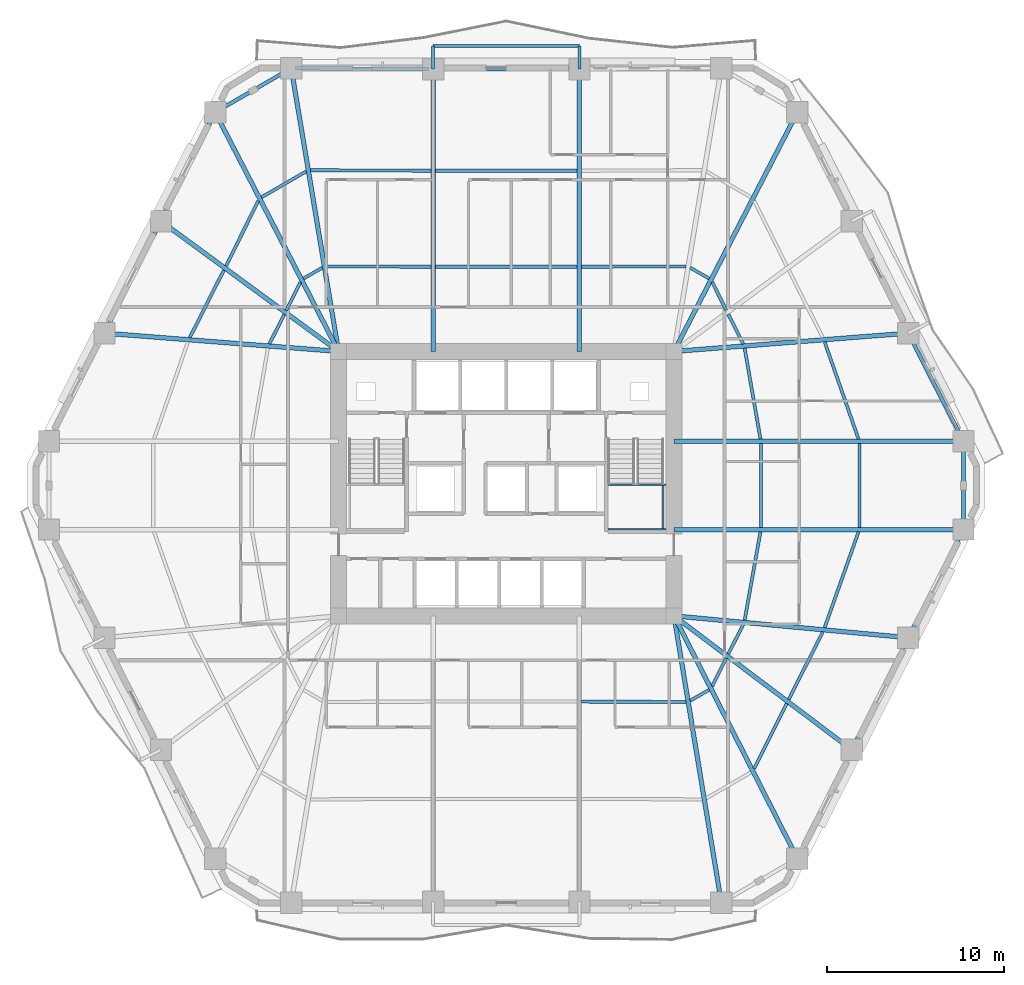
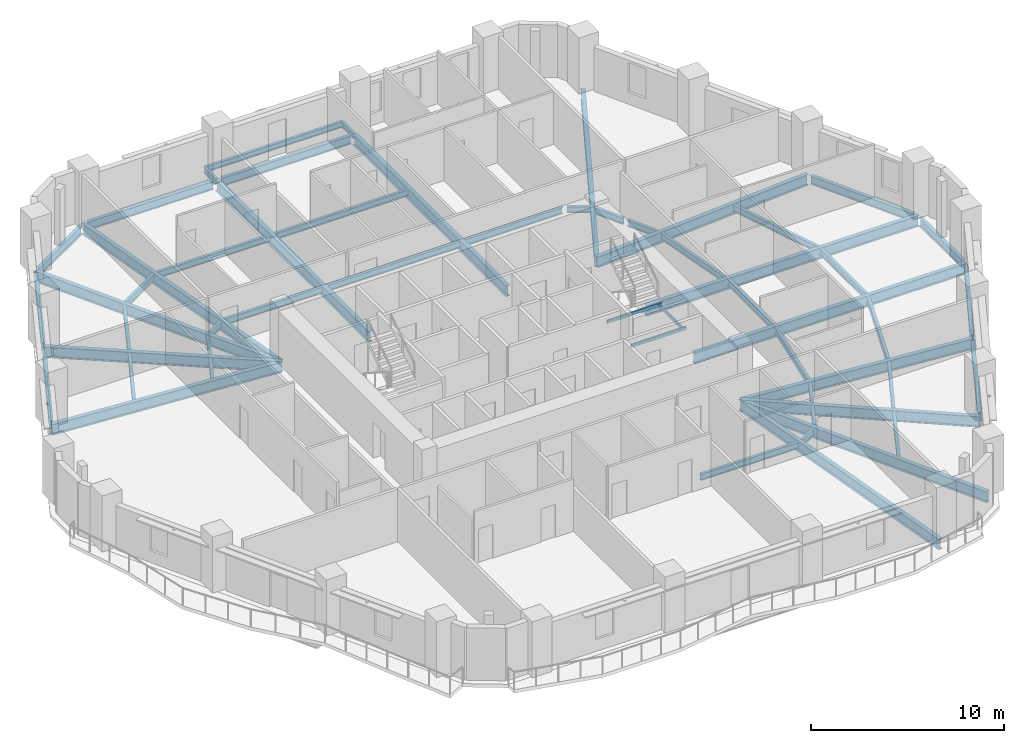
# One storey, part 2 of 13: 55 beams.
"""IFC4 building model written with IfcOpenShell, lengths in metres."""

from ifc_helpers import new_model, si_unit, direction, frame, origin, origin_2d, place, context, subcontext, project, spatial, hollow_rectangle, i_section, extrude, material, material_profile, profile_set, type_object, element, save


model = new_model("IFC4")

# Units and contexts
model_context = context("Model", 3, precision=1e-05, world=origin(), true_north=direction((0.0, 1.0)))
body_context = subcontext(model_context, "Body", "Model", "MODEL_VIEW")
ifc_project = project(units=[si_unit("LENGTHUNIT", "METRE"), si_unit("AREAUNIT", "SQUARE_METRE"), si_unit("VOLUMEUNIT", "CUBIC_METRE"), si_unit("PLANEANGLEUNIT", "RADIAN"), si_unit("MASSUNIT", "GRAM", prefix="KILO")], contexts=[model_context])

# Site, building, storey
site_placement = place(None, origin())
site = spatial("IfcSite", under=ifc_project, at=site_placement, CompositionType="ELEMENT")
building_placement = place(site_placement, origin())
building = spatial("IfcBuilding", under=site, at=building_placement, Name="Cinnabar Lancet Tower", CompositionType="ELEMENT")
storey_placement = place(building_placement, frame((0.0, 0.0, 63.949951171875)))
storey = spatial("IfcBuildingStorey", under=building, at=storey_placement, Name="L16", CompositionType="ELEMENT", Elevation=63.949951171875)

# Beams
ifc_material_1 = material(Name="Structural steel S355", Category="steel")
ifc_material_profile_1 = material_profile(ifc_material_1, i_section(OverallWidth=0.177978515625, OverallDepth=0.406494140625, WebThickness=0.0078125, FlangeThickness=0.0126953125, FilletRadius=0.01025390625, at=origin_2d()), Name="UKB 406x178x60")
ifc_profile_set_1 = profile_set([ifc_material_profile_1], Name="Structural steel S355")
beam_type_1 = type_object("IfcBeamType", Name="STR-BM-JST-406", PredefinedType="JOIST", material=ifc_profile_set_1)
beam_1_placement = place(storey_placement, frame((36.64892578125, 13.616943359375, -0.4228515625), z_axis=(0.999996783932, -0.002536163472, 0.0), x_axis=(0.002536163472, 0.999996783932, 0.0)))
element("IfcBeam", 1, at=beam_1_placement, inside=storey, type_object=beam_type_1, Name="L16 Secondary Floor Joist 14", PredefinedType="JOIST", context=body_context, shape_type="SweptSolid", body=[
    extrude(i_section(OverallWidth=0.177978515625, OverallDepth=0.406494140625, WebThickness=0.0078125, FlangeThickness=0.0126953125, FilletRadius=0.01025390625, at=origin_2d()), origin(), (0.0, 0.0, 1.0), 5.8720703125),
])
beam_2_placement = place(storey_placement, frame((42.76708984375, 13.669921875, -0.4228515625), z_axis=(0.865417177575, 0.50105200205, 0.0), x_axis=(-0.50105200205, 0.865417177575, 0.0)))
element("IfcBeam", 2, at=beam_2_placement, inside=storey, type_object=beam_type_1, Name="L16 Secondary Floor Joist 16", PredefinedType="JOIST", context=body_context, shape_type="SweptSolid", body=[
    extrude(i_section(OverallWidth=0.177978515625, OverallDepth=0.406494140625, WebThickness=0.0078125, FlangeThickness=0.0126953125, FilletRadius=0.01025390625, at=origin_2d()), origin(), (0.0, 0.0, 1.0), 1.223388671875),
])
beam_3_placement = place(storey_placement, frame((46.3701171875, 9.837890625, -0.4228515625), z_axis=(0.445807799253, 0.895128709251, 0.0), x_axis=(-0.895128709251, 0.445807799253, 0.0)))
element("IfcBeam", 3, at=beam_3_placement, inside=storey, type_object=beam_type_1, Name="L16 Secondary Floor Joist 17", PredefinedType="JOIST", context=body_context, shape_type="SweptSolid", body=[
    extrude(i_section(OverallWidth=0.177978515625, OverallDepth=0.406494140625, WebThickness=0.0078125, FlangeThickness=0.0126953125, FilletRadius=0.01025390625, at=origin_2d()), origin(), (0.0, 0.0, 1.0), 4.10009765625),
])
beam_4_placement = place(storey_placement, frame((44.006103515625, 14.488037109375, -0.4228515625), z_axis=(0.445778141453, 0.895143479339, 0.0), x_axis=(-0.895143479339, 0.445778141453, 0.0)))
element("IfcBeam", 4, at=beam_4_placement, inside=storey, type_object=beam_type_1, Name="L16 Secondary Floor Joist 18", PredefinedType="JOIST", context=body_context, shape_type="SweptSolid", body=[
    extrude(i_section(OverallWidth=0.177978515625, OverallDepth=0.406494140625, WebThickness=0.0078125, FlangeThickness=0.0126953125, FilletRadius=0.01025390625, at=origin_2d()), origin(), (0.0, 0.0, 1.0), 1.76953125),
])
beam_5_placement = place(storey_placement, frame((48.31396484375, 13.739013671875, -0.4228515625), z_axis=(0.450763900798, 0.892643213012, 0.0), x_axis=(-0.892643213012, 0.450763900798, 0.0)))
element("IfcBeam", 5, at=beam_5_placement, inside=storey, type_object=beam_type_1, Name="L16 Secondary Floor Joist 19", PredefinedType="JOIST", context=body_context, shape_type="SweptSolid", body=[
    extrude(i_section(OverallWidth=0.177978515625, OverallDepth=0.406494140625, WebThickness=0.0078125, FlangeThickness=0.0126953125, FilletRadius=0.01025390625, at=origin_2d()), origin(), (0.0, 0.0, 1.0), 4.25927734375),
])
beam_6_placement = place(storey_placement, frame((44.910888671875, 16.302978515625, -0.4228515625), z_axis=(0.450737053799, 0.892656769611, 0.0), x_axis=(-0.892656769611, 0.450737053799, 0.0)))
element("IfcBeam", 6, at=beam_6_placement, inside=storey, type_object=beam_type_1, Name="L16 Secondary Floor Joist 20", PredefinedType="JOIST", context=body_context, shape_type="SweptSolid", body=[
    extrude(i_section(OverallWidth=0.177978515625, OverallDepth=0.406494140625, WebThickness=0.0078125, FlangeThickness=0.0126953125, FilletRadius=0.01025390625, at=origin_2d()), origin(), (0.0, 0.0, 1.0), 1.855224609375),
])
beam_7_placement = place(storey_placement, frame((50.339111328125, 17.785888671875, -0.4228515625), z_axis=(0.333384030214, 0.942791115995, 0.0), x_axis=(-0.942791115995, 0.333384030214, 0.0)))
element("IfcBeam", 7, at=beam_7_placement, inside=storey, type_object=beam_type_1, Name="L16 Secondary Floor Joist 21", PredefinedType="JOIST", context=body_context, shape_type="SweptSolid", body=[
    extrude(i_section(OverallWidth=0.177978515625, OverallDepth=0.406494140625, WebThickness=0.0078125, FlangeThickness=0.0126953125, FilletRadius=0.01025390625, at=origin_2d()), origin(), (0.0, 0.0, 1.0), 5.728759765625),
])
beam_8_placement = place(storey_placement, frame((45.8310546875, 18.2060546875, -0.4228515625), z_axis=(0.176248165752, 0.98434576449, 0.0), x_axis=(-0.98434576449, 0.176248165752, 0.0)))
element("IfcBeam", 8, at=beam_8_placement, inside=storey, type_object=beam_type_1, Name="L16 Secondary Floor Joist 22", PredefinedType="JOIST", context=body_context, shape_type="SweptSolid", body=[
    extrude(i_section(OverallWidth=0.177978515625, OverallDepth=0.406494140625, WebThickness=0.0078125, FlangeThickness=0.0126953125, FilletRadius=0.01025390625, at=origin_2d()), origin(), (0.0, 0.0, 1.0), 5.06005859375),
])
for number, where, z_axis, x_axis, name in (
    (9, (52.2939453125, 23.44091796875, -0.4228515625), (0.0, 1.0, 0.0), (-1.0, 0.0, 0.0), "L16 Secondary Floor Joist 23"),
    (10, (46.7451171875, 23.44091796875, -0.4228515625), (0.0, 1.0, 0.0), (-1.0, 0.0, 0.0), "L16 Secondary Floor Joist 24"),
):
    element("IfcBeam", number, at=place(storey_placement, frame(where, z_axis=z_axis, x_axis=x_axis)), inside=storey, type_object=beam_type_1, Name=name, PredefinedType="JOIST", context=body_context, shape_type="SweptSolid", body=[
        extrude(i_section(OverallWidth=0.177978515625, OverallDepth=0.406494140625, WebThickness=0.0078125, FlangeThickness=0.0126953125, FilletRadius=0.01025390625, at=origin_2d()), origin(), (0.0, 0.0, 1.0), 4.718017578125),
    ])
beam_9_placement = place(storey_placement, frame((52.2490234375, 28.4130859375, -0.4228515625), z_axis=(-0.329541584143, 0.944141061664, 0.0), x_axis=(-0.944141061664, -0.329541584143, 0.0)))
element("IfcBeam", 11, at=beam_9_placement, inside=storey, type_object=beam_type_1, Name="L16 Secondary Floor Joist 25", PredefinedType="JOIST", context=body_context, shape_type="SweptSolid", body=[
    extrude(i_section(OverallWidth=0.177978515625, OverallDepth=0.406494140625, WebThickness=0.0078125, FlangeThickness=0.0126953125, FilletRadius=0.01025390625, at=origin_2d()), origin(), (0.0, 0.0, 1.0), 5.795654296875),
])
beam_10_placement = place(storey_placement, frame((46.722900390625, 28.4130859375, -0.4228515625), z_axis=(-0.171608810888, 0.985165171951, 0.0), x_axis=(-0.985165171951, -0.171608810888, 0.0)))
element("IfcBeam", 12, at=beam_10_placement, inside=storey, type_object=beam_type_1, Name="L16 Secondary Floor Joist 26", PredefinedType="JOIST", context=body_context, shape_type="SweptSolid", body=[
    extrude(i_section(OverallWidth=0.177978515625, OverallDepth=0.406494140625, WebThickness=0.0078125, FlangeThickness=0.0126953125, FilletRadius=0.01025390625, at=origin_2d()), origin(), (0.0, 0.0, 1.0), 5.197021484375),
])
beam_11_placement = place(storey_placement, frame((45.7470703125, 33.781005859375, -0.4228515625), z_axis=(-0.450525338421, 0.89276364142, 0.0), x_axis=(-0.89276364142, -0.450525338421, 0.0)))
element("IfcBeam", 13, at=beam_11_placement, inside=storey, type_object=beam_type_1, Name="L16 Secondary Floor Joist 28", PredefinedType="JOIST", context=body_context, shape_type="SweptSolid", body=[
    extrude(i_section(OverallWidth=0.177978515625, OverallDepth=0.406494140625, WebThickness=0.0078125, FlangeThickness=0.0126953125, FilletRadius=0.01025390625, at=origin_2d()), origin(), (0.0, 0.0, 1.0), 1.85595703125),
])
beam_12_placement = place(storey_placement, frame((44.794921875, 35.66796875, -0.4228515625), z_axis=(-0.445778141453, 0.895143479339, 0.0), x_axis=(-0.895143479339, -0.445778141453, 0.0)))
element("IfcBeam", 14, at=beam_12_placement, inside=storey, type_object=beam_type_1, Name="L16 Secondary Floor Joist 30", PredefinedType="JOIST", context=body_context, shape_type="SweptSolid", body=[
    extrude(i_section(OverallWidth=0.177978515625, OverallDepth=0.406494140625, WebThickness=0.0078125, FlangeThickness=0.0126953125, FilletRadius=0.01025390625, at=origin_2d()), origin(), (0.0, 0.0, 1.0), 1.76953125),
])
beam_13_placement = place(storey_placement, frame((43.825927734375, 37.45703125, -0.4228515625), z_axis=(-0.865417177575, 0.50105200205, 0.0), x_axis=(-0.50105200205, -0.865417177575, 0.0)))
element("IfcBeam", 15, at=beam_13_placement, inside=storey, type_object=beam_type_1, Name="L16 Secondary Floor Joist 32", PredefinedType="JOIST", context=body_context, shape_type="SweptSolid", body=[
    extrude(i_section(OverallWidth=0.177978515625, OverallDepth=0.406494140625, WebThickness=0.0078125, FlangeThickness=0.0126953125, FilletRadius=0.01025390625, at=origin_2d()), origin(), (0.0, 0.0, 1.0), 1.223388671875),
])
beam_14_placement = place(storey_placement, frame((42.52099609375, 38.137939453125, -0.4228515625), z_axis=(-0.999996783932, -0.002536163472, 0.0), x_axis=(0.002536163472, -0.999996783932, 0.0)))
element("IfcBeam", 16, at=beam_14_placement, inside=storey, type_object=beam_type_1, Name="L16 Secondary Floor Joist 34", PredefinedType="JOIST", context=body_context, shape_type="SweptSolid", body=[
    extrude(i_section(OverallWidth=0.177978515625, OverallDepth=0.406494140625, WebThickness=0.0078125, FlangeThickness=0.0126953125, FilletRadius=0.01025390625, at=origin_2d()), origin(), (0.0, 0.0, 1.0), 5.8720703125),
])
for number, where, z_axis, x_axis, name in (
    (17, (36.39501953125, 43.531005859375, -0.4228515625), (-1.0, 0.0, 0.0), (0.0, -1.0, 0.0), "L16 Secondary Floor Joist 35"),
    (18, (36.39501953125, 38.1220703125, -0.4228515625), (-1.0, 0.0, 0.0), (0.0, -1.0, 0.0), "L16 Secondary Floor Joist 36"),
):
    element("IfcBeam", number, at=place(storey_placement, frame(where, z_axis=z_axis, x_axis=x_axis)), inside=storey, type_object=beam_type_1, Name=name, PredefinedType="JOIST", context=body_context, shape_type="SweptSolid", body=[
        extrude(i_section(OverallWidth=0.177978515625, OverallDepth=0.406494140625, WebThickness=0.0078125, FlangeThickness=0.0126953125, FilletRadius=0.01025390625, at=origin_2d()), origin(), (0.0, 0.0, 1.0), 7.989990234375),
    ])
beam_15_placement = place(storey_placement, frame((28.15087890625, 43.531982421875, -0.4228515625), z_axis=(-0.999988870422, 0.004717947923, 0.0), x_axis=(-0.004717947923, -0.999988870422, 0.0)))
element("IfcBeam", 19, at=beam_15_placement, inside=storey, type_object=beam_type_1, Name="L16 Secondary Floor Joist 37", PredefinedType="JOIST", context=body_context, shape_type="SweptSolid", body=[
    extrude(i_section(OverallWidth=0.177978515625, OverallDepth=0.406494140625, WebThickness=0.0078125, FlangeThickness=0.0126953125, FilletRadius=0.01025390625, at=origin_2d()), origin(), (0.0, 0.0, 1.0), 6.77880859375),
])
beam_16_placement = place(storey_placement, frame((28.15087890625, 38.123046875, -0.4228515625), z_axis=(-0.999996783665, 0.00253626892, 0.0), x_axis=(-0.00253626892, -0.999996783665, 0.0)))
element("IfcBeam", 20, at=beam_16_placement, inside=storey, type_object=beam_type_1, Name="L16 Secondary Floor Joist 38", PredefinedType="JOIST", context=body_context, shape_type="SweptSolid", body=[
    extrude(i_section(OverallWidth=0.177978515625, OverallDepth=0.406494140625, WebThickness=0.0078125, FlangeThickness=0.0126953125, FilletRadius=0.01025390625, at=origin_2d()), origin(), (0.0, 0.0, 1.0), 5.871826171875),
])
beam_17_placement = place(storey_placement, frame((21.1259765625, 43.4970703125, -0.4228515625), z_axis=(-0.865209684948, -0.501410212373, 0.0), x_axis=(0.501410212373, -0.865209684948, 0.0)))
element("IfcBeam", 21, at=beam_17_placement, inside=storey, type_object=beam_type_1, Name="L16 Secondary Floor Joist 39", PredefinedType="JOIST", context=body_context, shape_type="SweptSolid", body=[
    extrude(i_section(OverallWidth=0.177978515625, OverallDepth=0.406494140625, WebThickness=0.0078125, FlangeThickness=0.0126953125, FilletRadius=0.01025390625, at=origin_2d()), origin(), (0.0, 0.0, 1.0), 2.90771484375),
])
beam_18_placement = place(storey_placement, frame((22.032958984375, 38.070068359375, -0.4228515625), z_axis=(-0.865417177575, -0.50105200205, 0.0), x_axis=(0.50105200205, -0.865417177575, 0.0)))
element("IfcBeam", 22, at=beam_18_placement, inside=storey, type_object=beam_type_1, Name="L16 Secondary Floor Joist 40", PredefinedType="JOIST", context=body_context, shape_type="SweptSolid", body=[
    extrude(i_section(OverallWidth=0.177978515625, OverallDepth=0.406494140625, WebThickness=0.0078125, FlangeThickness=0.0126953125, FilletRadius=0.01025390625, at=origin_2d()), origin(), (0.0, 0.0, 1.0), 1.223388671875),
])
beam_19_placement = place(storey_placement, frame((18.429931640625, 41.8349609375, -0.4228515625), z_axis=(-0.445641523434, -0.895211501597, 0.0), x_axis=(0.895211501597, -0.445641523434, 0.0)))
element("IfcBeam", 23, at=beam_19_placement, inside=storey, type_object=beam_type_1, Name="L16 Secondary Floor Joist 41", PredefinedType="JOIST", context=body_context, shape_type="SweptSolid", body=[
    extrude(i_section(OverallWidth=0.177978515625, OverallDepth=0.406494140625, WebThickness=0.0078125, FlangeThickness=0.0126953125, FilletRadius=0.01025390625, at=origin_2d()), origin(), (0.0, 0.0, 1.0), 4.1015625),
])
beam_20_placement = place(storey_placement, frame((20.7939453125, 37.251953125, -0.4228515625), z_axis=(-0.445888683384, -0.895088421347, 0.0), x_axis=(0.895088421347, -0.445888683384, 0.0)))
element("IfcBeam", 24, at=beam_20_placement, inside=storey, type_object=beam_type_1, Name="L16 Secondary Floor Joist 42", PredefinedType="JOIST", context=body_context, shape_type="SweptSolid", body=[
    extrude(i_section(OverallWidth=0.177978515625, OverallDepth=0.406494140625, WebThickness=0.0078125, FlangeThickness=0.0126953125, FilletRadius=0.01025390625, at=origin_2d()), origin(), (0.0, 0.0, 1.0), 1.76953125),
])
beam_21_placement = place(storey_placement, frame((16.486083984375, 37.93310546875, -0.4228515625), z_axis=(-0.450901848865, -0.892573539094, 0.0), x_axis=(0.892573539094, -0.450901848865, 0.0)))
element("IfcBeam", 25, at=beam_21_placement, inside=storey, type_object=beam_type_1, Name="L16 Secondary Floor Joist 43", PredefinedType="JOIST", context=body_context, shape_type="SweptSolid", body=[
    extrude(i_section(OverallWidth=0.177978515625, OverallDepth=0.406494140625, WebThickness=0.0078125, FlangeThickness=0.0126953125, FilletRadius=0.01025390625, at=origin_2d()), origin(), (0.0, 0.0, 1.0), 4.258544921875),
])
beam_22_placement = place(storey_placement, frame((19.888916015625, 35.43798828125, -0.4228515625), z_axis=(-0.450420487985, -0.892816545547, 0.0), x_axis=(0.892816545547, -0.450420487985, 0.0)))
element("IfcBeam", 26, at=beam_22_placement, inside=storey, type_object=beam_type_1, Name="L16 Secondary Floor Joist 44", PredefinedType="JOIST", context=body_context, shape_type="SweptSolid", body=[
    extrude(i_section(OverallWidth=0.177978515625, OverallDepth=0.406494140625, WebThickness=0.0078125, FlangeThickness=0.0126953125, FilletRadius=0.01025390625, at=origin_2d()), origin(), (0.0, 0.0, 1.0), 1.85595703125),
])
ifc_material_2 = material(Name="Structural steel S355", Category="steel")
ifc_material_profile_2 = material_profile(ifc_material_2, hollow_rectangle(XDim=0.10009765625, YDim=0.199951171875, WallThickness=0.008056640625, InnerFilletRadius=0.00390625, OuterFilletRadius=0.011962890625, at=origin_2d()), Name="RHS 200x100x8")
ifc_profile_set_2 = profile_set([ifc_material_profile_2], Name="Structural steel S355")
beam_type_2 = type_object("IfcBeamType", Name="STR-BM-LND-203", PredefinedType="BEAM", material=ifc_profile_set_2)
for number, where, z_axis, x_axis, name in (
    (27, (38.1201171875, 23.330078125, 1.47509765625), (1.0, 0.0, 0.0), (0.0, 1.0, 0.0), "L16 ST-2-L16 Landing Support Beam S"),
    (28, (38.1201171875, 25.844970703125, 1.47509765625), (1.0, 0.0, 0.0), (0.0, 1.0, 0.0), "L16 ST-2-L16 Landing Support Beam N"),
):
    element("IfcBeam", number, at=place(storey_placement, frame(where, z_axis=z_axis, x_axis=x_axis)), inside=storey, type_object=beam_type_2, Name=name, PredefinedType="BEAM", context=body_context, shape_type="SweptSolid", body=[
        extrude(hollow_rectangle(XDim=0.10009765625, YDim=0.199951171875, WallThickness=0.008056640625, InnerFilletRadius=0.00390625, OuterFilletRadius=0.011962890625, at=origin_2d()), origin(), (0.0, 0.0, 1.0), 3.27978515625),
    ])
beam_23_placement = place(storey_placement, frame((41.219970703125, 23.3798828125, 1.47509765625), z_axis=(0.0, 1.0, 0.0), x_axis=(-1.0, 0.0, 0.0)))
element("IfcBeam", 29, at=beam_23_placement, inside=storey, type_object=beam_type_2, Name="L16 ST-2-L16 Landing Side Trimmer Beam", PredefinedType="BEAM", context=body_context, shape_type="SweptSolid", body=[
    extrude(hollow_rectangle(XDim=0.10009765625, YDim=0.199951171875, WallThickness=0.008056640625, InnerFilletRadius=0.00390625, OuterFilletRadius=0.011962890625, at=origin_2d()), origin(), (0.0, 0.0, 1.0), 2.4150390625),
])
ifc_material_3 = material(Name="Structural steel S355", Category="steel")
ifc_material_profile_3 = material_profile(ifc_material_3, i_section(OverallWidth=0.209228515625, OverallDepth=0.533203125, WebThickness=0.010009765625, FlangeThickness=0.015625, FilletRadius=0.0126953125, at=origin_2d()), Name="UKB 533x210x92")
ifc_profile_set_3 = profile_set([ifc_material_profile_3], Name="Structural steel S355")
beam_type_3 = type_object("IfcBeamType", Name="STR-BM-SPN-533", PredefinedType="SPANDREL", material=ifc_profile_set_3)
beam_24_placement = place(storey_placement, frame((51.971923828125, 11.132080078125, -0.487060546875), z_axis=(0.450703143926, 0.892673891214, 0.0), x_axis=(-0.892673891214, 0.450703143926, 0.0)))
element("IfcBeam", 30, at=beam_24_placement, inside=storey, type_object=beam_type_3, Name="L16 Perimeter Spandrel 6", PredefinedType="SPANDREL", context=body_context, shape_type="SweptSolid", body=[
    extrude(i_section(OverallWidth=0.209228515625, OverallDepth=0.533203125, WebThickness=0.010009765625, FlangeThickness=0.015625, FilletRadius=0.0126953125, at=origin_2d()), origin(), (0.0, 0.0, 1.0), 6.570068359375),
])
beam_25_placement = place(storey_placement, frame((55.159912109375, 17.443115234375, -0.487060546875), z_axis=(0.456024522632, 0.889967209934, 0.0), x_axis=(-0.889967209934, 0.456024522632, 0.0)))
element("IfcBeam", 31, at=beam_25_placement, inside=storey, type_object=beam_type_3, Name="L16 Perimeter Spandrel 7", PredefinedType="SPANDREL", context=body_context, shape_type="SweptSolid", body=[
    extrude(i_section(OverallWidth=0.209228515625, OverallDepth=0.533203125, WebThickness=0.010009765625, FlangeThickness=0.015625, FilletRadius=0.0126953125, at=origin_2d()), origin(), (0.0, 0.0, 1.0), 6.34619140625),
])
beam_26_placement = place(storey_placement, frame((58.16796875, 23.56396484375, -0.487060546875), z_axis=(0.0, 1.0, 0.0), x_axis=(-1.0, 0.0, 0.0)))
element("IfcBeam", 32, at=beam_26_placement, inside=storey, type_object=beam_type_3, Name="L16 Perimeter Spandrel 8", PredefinedType="SPANDREL", context=body_context, shape_type="SweptSolid", body=[
    extrude(i_section(OverallWidth=0.209228515625, OverallDepth=0.533203125, WebThickness=0.010009765625, FlangeThickness=0.015625, FilletRadius=0.0126953125, at=origin_2d()), origin(), (0.0, 0.0, 1.0), 4.471923828125),
])
beam_27_placement = place(storey_placement, frame((58.053955078125, 28.509033203125, -0.487060546875), z_axis=(-0.456024522632, 0.889967209934, 0.0), x_axis=(-0.889967209934, -0.456024522632, 0.0)))
element("IfcBeam", 33, at=beam_27_placement, inside=storey, type_object=beam_type_3, Name="L16 Perimeter Spandrel 9", PredefinedType="SPANDREL", context=body_context, shape_type="SweptSolid", body=[
    extrude(i_section(OverallWidth=0.209228515625, OverallDepth=0.533203125, WebThickness=0.010009765625, FlangeThickness=0.015625, FilletRadius=0.0126953125, at=origin_2d()), origin(), (0.0, 0.0, 1.0), 6.34619140625),
])
beam_28_placement = place(storey_placement, frame((36.27197265625, 49.258056640625, -0.487060546875), z_axis=(-1.0, 0.0, 0.0), x_axis=(0.0, -1.0, 0.0)))
element("IfcBeam", 34, at=beam_28_placement, inside=storey, type_object=beam_type_3, Name="L16 Perimeter Spandrel 14", PredefinedType="SPANDREL", context=body_context, shape_type="SweptSolid", body=[
    extrude(i_section(OverallWidth=0.209228515625, OverallDepth=0.533203125, WebThickness=0.010009765625, FlangeThickness=0.015625, FilletRadius=0.0126953125, at=origin_2d()), origin(), (0.0, 0.0, 1.0), 7.743896484375),
])
beam_29_placement = place(storey_placement, frame((28.028076171875, 49.260009765625, -0.487060546875), z_axis=(-0.99997856757, 0.006547090947, 0.0), x_axis=(-0.006547090947, -0.99997856757, 0.0)))
element("IfcBeam", 35, at=beam_29_placement, inside=storey, type_object=beam_type_3, Name="L16 Perimeter Spandrel 15", PredefinedType="SPANDREL", context=body_context, shape_type="SweptSolid", body=[
    extrude(i_section(OverallWidth=0.209228515625, OverallDepth=0.533203125, WebThickness=0.010009765625, FlangeThickness=0.015625, FilletRadius=0.0126953125, at=origin_2d()), origin(), (0.0, 0.0, 1.0), 7.495361328125),
])
beam_30_placement = place(storey_placement, frame((20.06689453125, 49.18603515625, -0.487060546875), z_axis=(-0.865147238596, -0.501517951374, 0.0), x_axis=(0.501517951374, -0.865147238596, 0.0)))
element("IfcBeam", 36, at=beam_30_placement, inside=storey, type_object=beam_type_3, Name="L16 Perimeter Spandrel 16", PredefinedType="SPANDREL", context=body_context, shape_type="SweptSolid", body=[
    extrude(i_section(OverallWidth=0.209228515625, OverallDepth=0.533203125, WebThickness=0.010009765625, FlangeThickness=0.015625, FilletRadius=0.0126953125, at=origin_2d()), origin(), (0.0, 0.0, 1.0), 4.454833984375),
])
beam_31_placement = place(storey_placement, frame((15.885986328125, 46.60302734375, -0.487060546875), z_axis=(-0.445953050023, -0.89505635419, 0.0), x_axis=(0.89505635419, -0.445953050023, 0.0)))
element("IfcBeam", 37, at=beam_31_placement, inside=storey, type_object=beam_type_3, Name="L16 Perimeter Spandrel 17", PredefinedType="SPANDREL", context=body_context, shape_type="SweptSolid", body=[
    extrude(i_section(OverallWidth=0.209228515625, OverallDepth=0.533203125, WebThickness=0.010009765625, FlangeThickness=0.015625, FilletRadius=0.0126953125, at=origin_2d()), origin(), (0.0, 0.0, 1.0), 6.35498046875),
])
beam_32_placement = place(storey_placement, frame((12.827880859375, 40.468017578125, -0.487060546875), z_axis=(-0.450673532306, -0.892688841242, 0.0), x_axis=(0.892688841242, -0.450673532306, 0.0)))
element("IfcBeam", 38, at=beam_32_placement, inside=storey, type_object=beam_type_3, Name="L16 Perimeter Spandrel 18", PredefinedType="SPANDREL", context=body_context, shape_type="SweptSolid", body=[
    extrude(i_section(OverallWidth=0.209228515625, OverallDepth=0.533203125, WebThickness=0.010009765625, FlangeThickness=0.015625, FilletRadius=0.0126953125, at=origin_2d()), origin(), (0.0, 0.0, 1.0), 6.570068359375),
])
ifc_material_4 = material(Name="Structural steel S355", Category="steel")
ifc_material_profile_4 = material_profile(ifc_material_4, i_section(OverallWidth=0.253662109375, OverallDepth=0.68359375, WebThickness=0.012451171875, FlangeThickness=0.01904296875, FilletRadius=0.01513671875, at=origin_2d()), Name="UKB 686x254x140")
ifc_profile_set_4 = profile_set([ifc_material_profile_4], Name="Structural steel S355")
beam_type_4 = type_object("IfcBeamType", Name="STR-BM-UKB686-140", PredefinedType="BEAM", material=ifc_profile_set_4)
beam_33_placement = place(storey_placement, frame((51.85888671875, 10.908935546875, -0.56201171875), z_axis=(-0.798679534026, 0.601756596912, 0.0), x_axis=(-0.601756596912, -0.798679534026, 0.0)))
element("IfcBeam", 39, at=beam_33_placement, inside=storey, type_object=beam_type_4, Name="L16 Corner Collector Girder 2", PredefinedType="BEAM", context=body_context, shape_type="SweptSolid", body=[
    extrude(i_section(OverallWidth=0.253662109375, OverallDepth=0.68359375, WebThickness=0.012451171875, FlangeThickness=0.01904296875, FilletRadius=0.01513671875, at=origin_2d()), origin(), (0.0, 0.0, 1.0), 12.53173828125),
])
beam_34_placement = place(storey_placement, frame((12.94091796875, 40.69091796875, -0.56201171875), z_axis=(0.806371852816, -0.591408856026, 0.0), x_axis=(0.591408856026, 0.806371852816, 0.0)))
element("IfcBeam", 40, at=beam_34_placement, inside=storey, type_object=beam_type_4, Name="L16 Corner Collector Girder 4", PredefinedType="BEAM", context=body_context, shape_type="SweptSolid", body=[
    extrude(i_section(OverallWidth=0.253662109375, OverallDepth=0.68359375, WebThickness=0.012451171875, FlangeThickness=0.01904296875, FilletRadius=0.01513671875, at=origin_2d()), origin(), (0.0, 0.0, 1.0), 12.412353515625),
])
beam_35_placement = place(storey_placement, frame((44.51708984375, 2.2890625, -0.56201171875), z_axis=(-0.162825264118, 0.986654921117, 0.0), x_axis=(-0.986654921117, -0.162825264118, 0.0)))
element("IfcBeam", 41, at=beam_35_placement, inside=storey, type_object=beam_type_4, Name="L16 Primary Floor Girder 4", PredefinedType="BEAM", context=body_context, shape_type="SweptSolid", body=[
    extrude(i_section(OverallWidth=0.253662109375, OverallDepth=0.68359375, WebThickness=0.012451171875, FlangeThickness=0.01904296875, FilletRadius=0.01513671875, at=origin_2d()), origin(), (0.0, 0.0, 1.0), 16.37939453125),
])
beam_36_placement = place(storey_placement, frame((48.802978515625, 4.77294921875, -0.56201171875), z_axis=(-0.453167599586, 0.89142533433, 0.0), x_axis=(-0.89142533433, -0.453167599586, 0.0)))
element("IfcBeam", 42, at=beam_36_placement, inside=storey, type_object=beam_type_4, Name="L16 Primary Floor Girder 5", PredefinedType="BEAM", context=body_context, shape_type="SweptSolid", body=[
    extrude(i_section(OverallWidth=0.253662109375, OverallDepth=0.68359375, WebThickness=0.012451171875, FlangeThickness=0.01904296875, FilletRadius=0.01513671875, at=origin_2d()), origin(), (0.0, 0.0, 1.0), 15.3427734375),
])
beam_37_placement = place(storey_placement, frame((55.0458984375, 17.219970703125, -0.56201171875), z_axis=(-0.99568405159, 0.092807701238, 0.0), x_axis=(-0.092807701238, -0.99568405159, 0.0)))
element("IfcBeam", 43, at=beam_37_placement, inside=storey, type_object=beam_type_4, Name="L16 Primary Floor Girder 7", PredefinedType="BEAM", context=body_context, shape_type="SweptSolid", body=[
    extrude(i_section(OverallWidth=0.253662109375, OverallDepth=0.68359375, WebThickness=0.012451171875, FlangeThickness=0.01904296875, FilletRadius=0.01513671875, at=origin_2d()), origin(), (0.0, 0.0, 1.0), 13.2529296875),
])
for number, where, z_axis, x_axis, name in (
    (44, (58.16796875, 23.31396484375, -0.56201171875), (-1.0, 0.0, 0.0), (0.0, -1.0, 0.0), "L16 Primary Floor Girder 8"),
    (45, (58.16796875, 28.285888671875, -0.56201171875), (-1.0, 0.0, 0.0), (0.0, -1.0, 0.0), "L16 Primary Floor Girder 9"),
):
    element("IfcBeam", number, at=place(storey_placement, frame(where, z_axis=z_axis, x_axis=x_axis)), inside=storey, type_object=beam_type_4, Name=name, PredefinedType="BEAM", context=body_context, shape_type="SweptSolid", body=[
        extrude(i_section(OverallWidth=0.253662109375, OverallDepth=0.68359375, WebThickness=0.012451171875, FlangeThickness=0.01904296875, FilletRadius=0.01513671875, at=origin_2d()), origin(), (0.0, 0.0, 1.0), 16.31787109375),
    ])
beam_38_placement = place(storey_placement, frame((55.0458984375, 34.3798828125, -0.56201171875), z_axis=(-0.99696880683, -0.077802302076, 0.0), x_axis=(0.077802302076, -0.99696880683, 0.0)))
element("IfcBeam", 46, at=beam_38_placement, inside=storey, type_object=beam_type_4, Name="L16 Primary Floor Girder 10", PredefinedType="BEAM", context=body_context, shape_type="SweptSolid", body=[
    extrude(i_section(OverallWidth=0.253662109375, OverallDepth=0.68359375, WebThickness=0.012451171875, FlangeThickness=0.01904296875, FilletRadius=0.01513671875, at=origin_2d()), origin(), (0.0, 0.0, 1.0), 13.23583984375),
])
beam_39_placement = place(storey_placement, frame((48.802978515625, 46.826904296875, -0.56201171875), z_axis=(-0.458492410387, -0.888698323177, 0.0), x_axis=(0.888698323177, -0.458492410387, 0.0)))
element("IfcBeam", 47, at=beam_39_placement, inside=storey, type_object=beam_type_4, Name="L16 Primary Floor Girder 12", PredefinedType="BEAM", context=body_context, shape_type="SweptSolid", body=[
    extrude(i_section(OverallWidth=0.253662109375, OverallDepth=0.68359375, WebThickness=0.012451171875, FlangeThickness=0.01904296875, FilletRadius=0.01513671875, at=origin_2d()), origin(), (0.0, 0.0, 1.0), 15.16455078125),
])
for number, where, z_axis, x_axis, name in (
    (48, (36.52197265625, 49.258056640625, -0.56201171875), (0.0, -1.0, 0.0), (1.0, 0.0, 0.0), "L16 Primary Floor Girder 14"),
    (49, (28.278076171875, 49.258056640625, -0.56201171875), (0.0, -1.0, 0.0), (1.0, 0.0, 0.0), "L16 Primary Floor Girder 15"),
):
    element("IfcBeam", number, at=place(storey_placement, frame(where, z_axis=z_axis, x_axis=x_axis)), inside=storey, type_object=beam_type_4, Name=name, PredefinedType="BEAM", context=body_context, shape_type="SweptSolid", body=[
        extrude(i_section(OverallWidth=0.253662109375, OverallDepth=0.68359375, WebThickness=0.012451171875, FlangeThickness=0.01904296875, FilletRadius=0.01513671875, at=origin_2d()), origin(), (0.0, 0.0, 1.0), 15.907958984375),
    ])
beam_40_placement = place(storey_placement, frame((20.282958984375, 49.31103515625, -0.56201171875), z_axis=(0.164809990854, -0.986325335229, 0.0), x_axis=(0.986325335229, 0.164809990854, 0.0)))
element("IfcBeam", 50, at=beam_40_placement, inside=storey, type_object=beam_type_4, Name="L16 Primary Floor Girder 16", PredefinedType="BEAM", context=body_context, shape_type="SweptSolid", body=[
    extrude(i_section(OverallWidth=0.253662109375, OverallDepth=0.68359375, WebThickness=0.012451171875, FlangeThickness=0.01904296875, FilletRadius=0.01513671875, at=origin_2d()), origin(), (0.0, 0.0, 1.0), 16.18212890625),
])
beam_41_placement = place(storey_placement, frame((15.9970703125, 46.826904296875, -0.56201171875), z_axis=(0.458492410387, -0.888698323177, 0.0), x_axis=(0.888698323177, 0.458492410387, 0.0)))
element("IfcBeam", 51, at=beam_41_placement, inside=storey, type_object=beam_type_4, Name="L16 Primary Floor Girder 17", PredefinedType="BEAM", context=body_context, shape_type="SweptSolid", body=[
    extrude(i_section(OverallWidth=0.253662109375, OverallDepth=0.68359375, WebThickness=0.012451171875, FlangeThickness=0.01904296875, FilletRadius=0.01513671875, at=origin_2d()), origin(), (0.0, 0.0, 1.0), 15.16455078125),
])
beam_42_placement = place(storey_placement, frame((9.75390625, 34.3798828125, -0.56201171875), z_axis=(0.99696891848, -0.077800871365, 0.0), x_axis=(0.077800871365, 0.99696891848, 0.0)))
element("IfcBeam", 52, at=beam_42_placement, inside=storey, type_object=beam_type_4, Name="L16 Primary Floor Girder 19", PredefinedType="BEAM", context=body_context, shape_type="SweptSolid", body=[
    extrude(i_section(OverallWidth=0.253662109375, OverallDepth=0.68359375, WebThickness=0.012451171875, FlangeThickness=0.01904296875, FilletRadius=0.01513671875, at=origin_2d()), origin(), (0.0, 0.0, 1.0), 13.236083984375),
])
ifc_material_5 = material(Name="Structural steel S355", Category="steel")
ifc_material_profile_5 = material_profile(ifc_material_5, i_section(OverallWidth=0.17138671875, OverallDepth=0.35498046875, WebThickness=0.00732421875, FlangeThickness=0.011474609375, FilletRadius=0.01025390625, at=origin_2d()), Name="UKB 356x171x51")
ifc_profile_set_5 = profile_set([ifc_material_profile_5], Name="Structural steel S355")
beam_type_5 = type_object("IfcBeamType", Name="STR-BM-WAV-OUT", PredefinedType="BEAM", material=ifc_profile_set_5)
for number, where, z_axis, x_axis, name in (
    (53, (36.52197265625, 49.258056640625, -0.39794921875), (0.0, 1.0, 0.0), (-1.0, 0.0, 0.0), "L16 Face 4 Balcony Outlooker A"),
    (54, (28.278076171875, 49.258056640625, -0.39794921875), (0.0, 1.0, 0.0), (-1.0, 0.0, 0.0), "L16 Face 4 Balcony Outlooker B"),
):
    element("IfcBeam", number, at=place(storey_placement, frame(where, z_axis=z_axis, x_axis=x_axis)), inside=storey, type_object=beam_type_5, Name=name, PredefinedType="BEAM", context=body_context, shape_type="SweptSolid", body=[
        extrude(i_section(OverallWidth=0.17138671875, OverallDepth=0.35498046875, WebThickness=0.00732421875, FlangeThickness=0.011474609375, FilletRadius=0.01025390625, at=origin_2d()), origin(), (0.0, 0.0, 1.0), 1.300048828125),
    ])
ifc_material_6 = material(Name="Structural steel S355", Category="steel")
ifc_material_profile_6 = material_profile(ifc_material_6, i_section(OverallWidth=0.17138671875, OverallDepth=0.35498046875, WebThickness=0.00732421875, FlangeThickness=0.011474609375, FilletRadius=0.01025390625, at=origin_2d()), Name="UKB 356x171x51")
ifc_profile_set_6 = profile_set([ifc_material_profile_6], Name="Structural steel S355")
beam_type_6 = type_object("IfcBeamType", Name="STR-BM-WAV-TRIM", PredefinedType="SPANDREL", material=ifc_profile_set_6)
beam_43_placement = place(storey_placement, frame((36.52197265625, 50.55810546875, -0.39794921875), z_axis=(-1.0, 0.0, 0.0), x_axis=(0.0, -1.0, 0.0)))
element("IfcBeam", 55, at=beam_43_placement, inside=storey, type_object=beam_type_6, Name="L16 Face 4 Balcony Edge Trimmer", PredefinedType="SPANDREL", context=body_context, shape_type="SweptSolid", body=[
    extrude(i_section(OverallWidth=0.17138671875, OverallDepth=0.35498046875, WebThickness=0.00732421875, FlangeThickness=0.011474609375, FilletRadius=0.01025390625, at=origin_2d()), origin(), (0.0, 0.0, 1.0), 8.243896484375),
])

save(model, "model.ifc")
